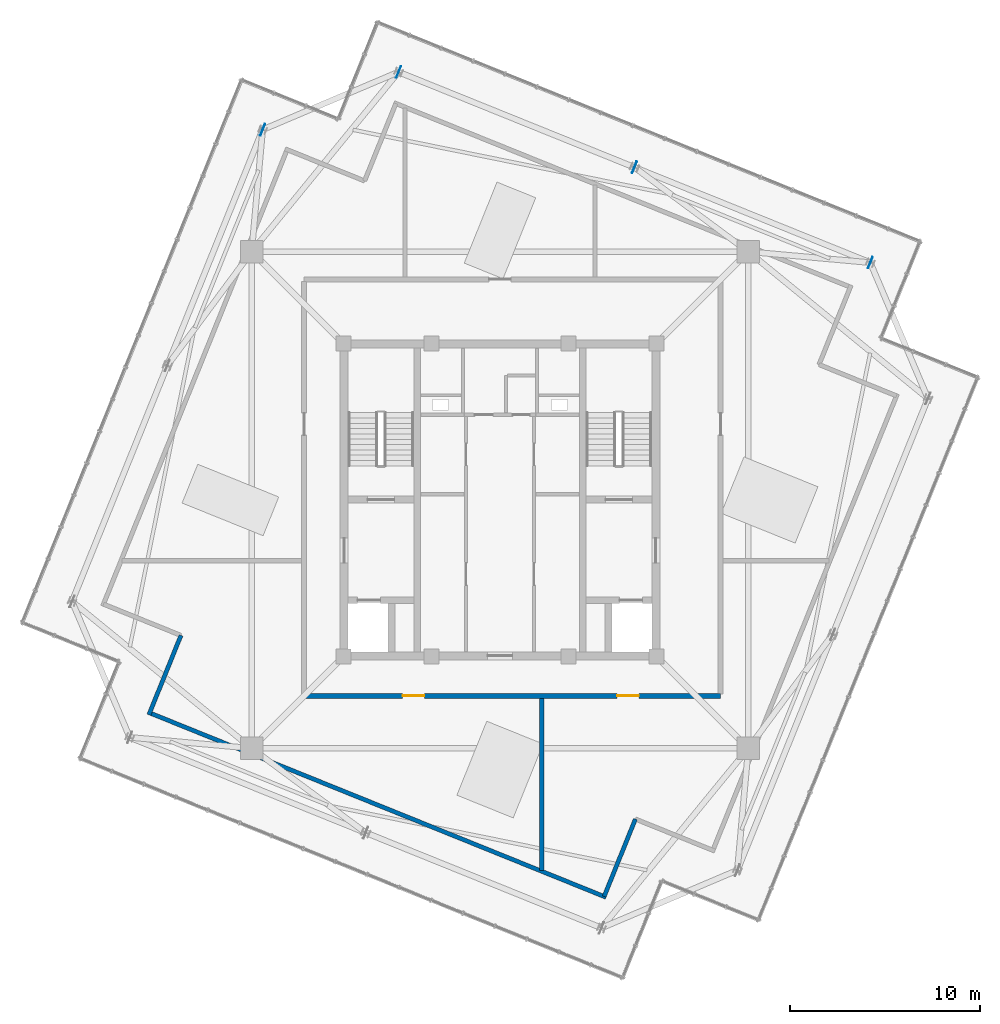
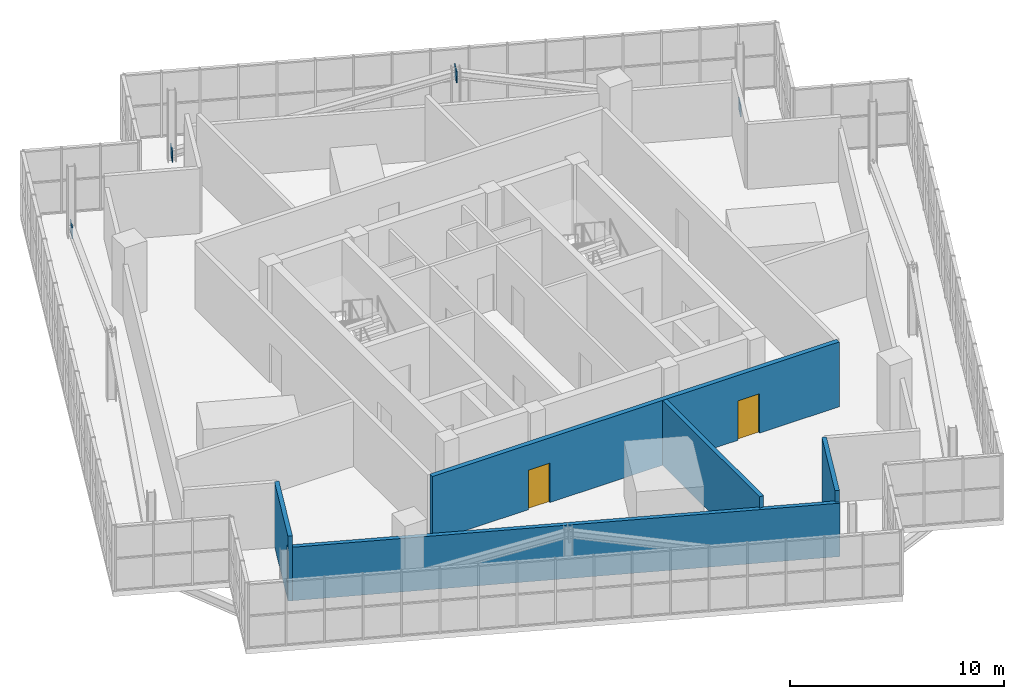
# One storey, part 22 of 26: 5 walls, 4 plates, 2 doors, 2 openings.
"""IFC4 building model written with IfcOpenShell, lengths in metres."""

from ifc_helpers import new_model, si_unit, direction, frame, frame_2d, origin, origin_2d, place, context, subcontext, project, spatial, rectangle, extrude, source, transform, mapped, material, layer, layer_set, type_object, element, fill, save


model = new_model("IFC4")

# Units and contexts
model_context = context("Model", 3, precision=1e-05, world=origin(), true_north=direction((0.0, 1.0)))
body_context = subcontext(model_context, "Body", "Model", "MODEL_VIEW")
ifc_project = project(units=[si_unit("LENGTHUNIT", "METRE"), si_unit("AREAUNIT", "SQUARE_METRE"), si_unit("VOLUMEUNIT", "CUBIC_METRE"), si_unit("PLANEANGLEUNIT", "RADIAN"), si_unit("MASSUNIT", "GRAM", prefix="KILO"), si_unit("THERMODYNAMICTEMPERATUREUNIT", "KELVIN")], contexts=[model_context])

# Site, building, storey
site_placement = place(None, origin())
site = spatial("IfcSite", under=ifc_project, at=site_placement, CompositionType="ELEMENT")
building_placement = place(site_placement, origin())
building = spatial("IfcBuilding", under=site, at=building_placement, Name="Kosmvard Interchange Tower", CompositionType="ELEMENT")
storey_placement = place(building_placement, frame((0.0, 0.0, 329.60009765625)))
storey = spatial("IfcBuildingStorey", under=building, at=storey_placement, Name="L81", CompositionType="ELEMENT", Elevation=329.60009765625)

# Plates
ifc_material_1 = material(Name="Steel S355", Category="steel")
ifc_layer_1 = layer(ifc_material_1, 0.0380859375, Name="Steel S355")
ifc_layer_set_1 = layer_set([ifc_layer_1], Name="Steel S355")
plate_type = type_object("IfcPlateType", Name="Lantern Base & Chord End Cap Stiffener 750x750x38 S355", PredefinedType="USERDEFINED", material=ifc_layer_set_1)
shared_shape_1 = source(origin(), body_context, "Body", "SweptSolid", [
    extrude(rectangle(XDim=0.64990234375, YDim=0.0380859375, at=origin_2d()), origin(), (0.0, 0.0, 1.0), 0.64990234375),
])
for number, where, z_axis, x_axis, name in (
    (1, (19.50439453125, 12.504150390625, 0.094970703125), (0.0, 0.0, 1.0), (0.374606593416, 0.927183854567, 0.0), "L81 Crown Diagrid Node Gusset Plate LAE"),
    (2, (-5.34423828125, 22.54345703125, 0.094970703125), (0.0, 0.0, 1.0), (0.374606593416, 0.927183854567, 0.0), "L81 Crown Diagrid Node Gusset Plate LBE"),
    (3, (7.080078125, 17.523681640625, 3.324951171875), (0.0, 0.0, 1.0), (0.374606593416, 0.927183854567, 0.0), "L81 Crown Diagrid Node Gusset Plate LME"),
    (4, (-12.504150390625, 19.50439453125, 0.094970703125), (0.0, 0.0, 1.0), (0.374606593416, 0.927183854567, 0.0), "L81 Crown Diagrid Node Gusset Plate LAN"),
):
    element("IfcPlate", number, at=place(storey_placement, frame(where, z_axis=z_axis, x_axis=x_axis)), inside=storey, type_object=plate_type, Name=name, ObjectType="STIFFENER_PLATE", PredefinedType="USERDEFINED", context=body_context, shape_type="MappedRepresentation", body=[
        mapped(shared_shape_1, transform((0.0, 0.0, 0.0), scale=1.0)),
    ])

# Wall, openings, doors
ifc_material_2 = material(Name="Concrete blockwork masonry", Category="masonry")
ifc_layer_2 = layer(ifc_material_2, 0.25, Name="Concrete blockwork masonry")
ifc_layer_set_2 = layer_set([ifc_layer_2], Name="Concrete blockwork masonry")
wall_type_1 = type_object("IfcWallType", Name="Exit Passage & Firefighting Lobby Wall 250", PredefinedType="PARTITIONING", material=ifc_layer_set_2)
wall_1_placement = place(storey_placement, frame((-10.320068359375, -10.320068359375, 0.0), z_axis=(0.0, 0.0, 1.0), x_axis=(1.0, 0.0, 0.0)))
wall_1 = element("IfcWall", 5, at=wall_1_placement, inside=storey, type_object=wall_type_1, Name="L81 Corridor Wall CS", PredefinedType="PARTITIONING", context=body_context, shape_type="SweptSolid", body=[
    extrude(rectangle(XDim=21.940185546875, YDim=0.25, at=frame_2d((10.97021484375, 0.0))), origin(), (0.0, 0.0, 1.0), 3.699951171875),
])
opening_1_placement = place(wall_1_placement, frame((16.490478515625, 0.0, 0.0)))
opening_1 = element("IfcOpeningElement", 6, at=opening_1_placement, cuts=wall_1, Name="Opening L81-D03", PredefinedType="OPENING", context=body_context, shape_type="SweptSolid", body=[
    extrude(rectangle(XDim=1.14990234375, YDim=2.25, at=frame_2d((0.574951171875, 1.125))), frame((0.0, 0.135009765625, 0.0), z_axis=(0.0, -1.0, 0.0), x_axis=(1.0, 0.0, 0.0)), (0.0, 0.0, 1.0), 0.27001953125),
])
opening_2_placement = place(wall_1_placement, frame((5.189453125, 0.0, 0.0)))
opening_2 = element("IfcOpeningElement", 7, at=opening_2_placement, cuts=wall_1, Name="Opening L81-D04", PredefinedType="OPENING", context=body_context, shape_type="SweptSolid", body=[
    extrude(rectangle(XDim=1.14990234375, YDim=2.25, at=frame_2d((0.574951171875, 1.125))), frame((0.0, 0.135009765625, 0.0), z_axis=(0.0, -1.0, 0.0), x_axis=(1.0, 0.0, 0.0)), (0.0, 0.0, 1.0), 0.27001953125),
])
ifc_material_3 = material(Name="Painted fire-rated steel leaf", Category="steel")
door_type = type_object("IfcDoorType", Name="Plant & Riser Fire Door 1150x2250 EI60", OperationType="NOTDEFINED", PredefinedType="DOOR", material=ifc_material_3)
shared_shape_2 = source(origin(), body_context, "Body", "SweptSolid", [
    extrude(rectangle(XDim=1.14990234375, YDim=2.25, at=frame_2d((0.574951171875, 1.125))), frame((0.0, 0.02490234375, 0.0), z_axis=(0.0, -1.0, 0.0), x_axis=(1.0, 0.0, 0.0)), (0.0, 0.0, 1.0), 0.050048828125),
])
door_1_placement = place(opening_1_placement, frame((1.14990234375, 0.0, 0.0), z_axis=(0.0, 0.0, 1.0), x_axis=(-1.0, 0.0, 0.0)))
door_1 = element("IfcDoor", 8, at=door_1_placement, inside=storey, type_object=door_type, Name="L81 Lantern Dimming Switchgear Plant Room Door", OperationType="SINGLE_SWING_LEFT", OverallHeight=2.25, OverallWidth=1.14990234375, PredefinedType="DOOR", context=body_context, shape_type="MappedRepresentation", body=[
    mapped(shared_shape_2, transform((0.0, 0.0, 0.0), scale=1.0)),
])
fill(opening_1, door_1)
door_2_placement = place(opening_2_placement, frame((1.14990234375, 0.0, 0.0), z_axis=(0.0, 0.0, 1.0), x_axis=(-1.0, 0.0, 0.0)))
door_2 = element("IfcDoor", 9, at=door_2_placement, inside=storey, type_object=door_type, Name="L81 Hydronic Circulation Pump Plant Room Door", OperationType="SINGLE_SWING_RIGHT", OverallHeight=2.25, OverallWidth=1.14990234375, PredefinedType="DOOR", context=body_context, shape_type="MappedRepresentation", body=[
    mapped(shared_shape_2, transform((0.0, 0.0, 0.0), scale=1.0)),
])
fill(opening_2, door_2)

# Walls
ifc_layer_3 = layer(ifc_material_2, 0.219970703125, Name="Concrete blockwork masonry")
ifc_layer_set_3 = layer_set([ifc_layer_3], Name="Concrete blockwork masonry")
wall_type_2 = type_object("IfcWallType", Name="Riser & Plant Enclosure Wall 220", PredefinedType="PARTITIONING", material=ifc_layer_set_3)
wall_2_placement = place(storey_placement, frame((-16.80615234375, -7.1337890625, 0.0), z_axis=(0.0, 0.0, 1.0), x_axis=(-0.374599091925, -0.927186885331, 0.0)))
element("IfcWall", 10, at=wall_2_placement, inside=storey, type_object=wall_type_2, Name="L81 Crown Plant Enclosure Wall NW2", PredefinedType="PARTITIONING", context=body_context, shape_type="SweptSolid", body=[
    extrude(rectangle(XDim=4.510009765625, YDim=0.219970703125, at=frame_2d((2.2548828125, 0.0))), origin(), (0.0, 0.0, 1.0), 3.699951171875),
])
wall_3_placement = place(storey_placement, frame((-18.556396484375, -11.172119140625, 0.0), z_axis=(0.0, 0.0, 1.0), x_axis=(0.927181788521, -0.374611707018, 0.0)))
element("IfcWall", 11, at=wall_3_placement, inside=storey, type_object=wall_type_2, Name="L81 Crown Plant Enclosure Wall W", PredefinedType="PARTITIONING", context=body_context, shape_type="SweptSolid", body=[
    extrude(rectangle(XDim=26.0400390625, YDim=0.219970703125, at=frame_2d((13.02001953125, 0.0))), origin(), (0.0, 0.0, 1.0), 3.0498046875),
])
wall_4_placement = place(storey_placement, frame((5.485595703125, -20.8857421875, 0.0), z_axis=(0.0, 0.0, 1.0), x_axis=(0.374593321469, 0.927189216671, 0.0)))
element("IfcWall", 12, at=wall_4_placement, inside=storey, type_object=wall_type_2, Name="L81 Crown Plant Enclosure Wall SW1", PredefinedType="PARTITIONING", context=body_context, shape_type="SweptSolid", body=[
    extrude(rectangle(XDim=4.39990234375, YDim=0.219970703125, at=frame_2d((2.199951171875, 0.0))), origin(), (0.0, 0.0, 1.0), 3.699951171875),
])
wall_5_placement = place(storey_placement, frame((2.199951171875, -10.449951171875, 0.0), z_axis=(0.0, 0.0, 1.0), x_axis=(0.0, -1.0, 0.0)))
element("IfcWall", 13, at=wall_5_placement, inside=storey, type_object=wall_type_2, Name="L81 Room Partition 04.1", PredefinedType="PARTITIONING", context=body_context, shape_type="SweptSolid", body=[
    extrude(rectangle(XDim=9.059814453125, YDim=0.219970703125, at=frame_2d((4.52978515625, 0.0))), origin(), (0.0, 0.0, 1.0), 3.699951171875),
])

save(model, "model.ifc")
